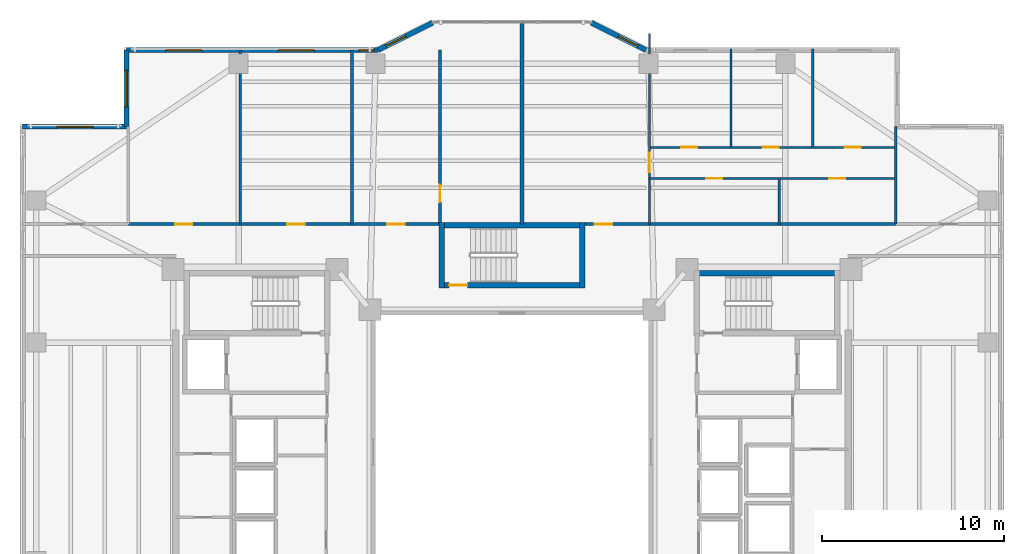
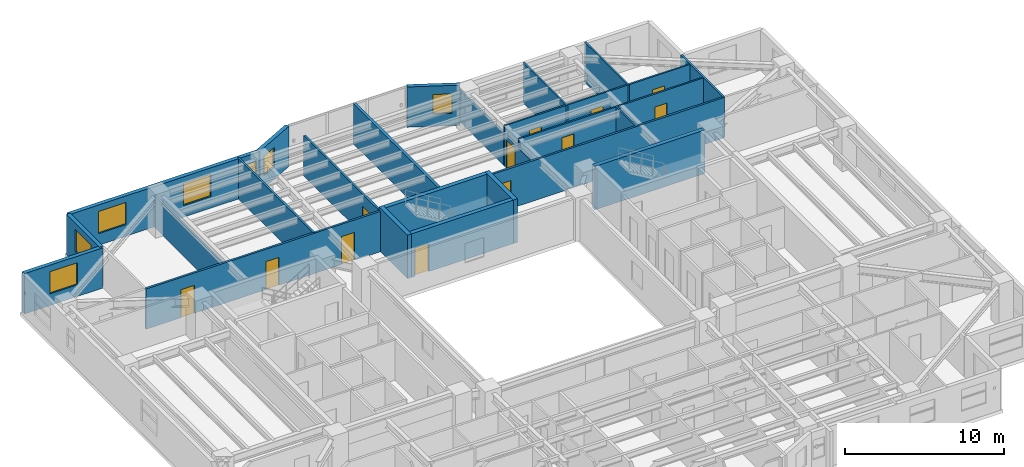
# One storey, part 10 of 18: 24 walls, 12 doors, 7 windows, 19 openings.
"""IFC4 building model written with IfcOpenShell, lengths in metres."""

from ifc_helpers import new_model, si_unit, direction, frame, frame_2d, origin, place, context, subcontext, project, spatial, rectangle, extrude, material, layer, layer_set, type_object, element, fill, save


model = new_model("IFC4")

# Units and contexts
model_context = context("Model", 3, precision=1e-05, world=origin(), true_north=direction((0.0, 1.0)))
body_context = subcontext(model_context, "Body", "Model", "MODEL_VIEW")
ifc_project = project(units=[si_unit("LENGTHUNIT", "METRE"), si_unit("AREAUNIT", "SQUARE_METRE"), si_unit("VOLUMEUNIT", "CUBIC_METRE"), si_unit("PLANEANGLEUNIT", "RADIAN"), si_unit("MASSUNIT", "GRAM", prefix="KILO")], contexts=[model_context])

# Site, building, storey
site_placement = place(None, origin())
site = spatial("IfcSite", under=ifc_project, at=site_placement, CompositionType="ELEMENT")
building_placement = place(site_placement, origin())
building = spatial("IfcBuilding", under=site, at=building_placement, Name="Tarnavaz Court Tower", CompositionType="ELEMENT")
storey_placement = place(building_placement, frame((0.0, 0.0, 88.35009765625)))
storey = spatial("IfcBuildingStorey", under=building, at=storey_placement, Name="L23", CompositionType="ELEMENT", Elevation=88.35009765625)

# Walls
ifc_material_1 = material(Name="Concrete C60/75", Category="concrete")
ifc_layer_1 = layer(ifc_material_1, 0.300048828125)
ifc_layer_set_1 = layer_set([ifc_layer_1], Name="Concrete C60/75")
wall_type_1 = type_object("IfcWallType", Name="WL-CORE-300-C60", PredefinedType="SHEAR", material=ifc_layer_set_1)
for number, where, z_axis, x_axis, name in (
    (1, (10.0, 9.7900390625, 0.0), (0.0, 0.0, 1.0), (1.0, 0.0, 0.0), "L23 East Stair Core Wall 005"),
    (2, (-4.0, 12.43994140625, 0.0), (0.0, 0.0, 1.0), (1.0, 0.0, 0.0), "L23 North Stair Core Wall 009"),
):
    element("IfcWall", number, at=place(storey_placement, frame(where, z_axis=z_axis, x_axis=x_axis)), inside=storey, type_object=wall_type_1, Name=name, PredefinedType="SHEAR", context=body_context, shape_type="SweptSolid", body=[
        extrude(rectangle(XDim=8.0, YDim=0.300048828125, at=frame_2d((4.0, 0.0))), origin(), (0.0, 0.0, 1.0), 3.349853515625),
    ])

# Wall, opening, door
wall_1_placement = place(storey_placement, frame((-4.0, 9.14990234375, 0.0), z_axis=(0.0, 0.0, 1.0), x_axis=(1.0, 0.0, 0.0)))
wall_1 = element("IfcWall", 3, at=wall_1_placement, inside=storey, type_object=wall_type_1, Name="L23 North Stair Core Wall 010", PredefinedType="SHEAR", context=body_context, shape_type="SweptSolid", body=[
    extrude(rectangle(XDim=8.0, YDim=0.300048828125, at=frame_2d((4.0, 0.0))), origin(), (0.0, 0.0, 1.0), 3.349853515625),
])
opening_1_placement = place(wall_1_placement, frame((0.550048828125, 0.0, 0.0)))
opening_1 = element("IfcOpeningElement", 4, at=opening_1_placement, cuts=wall_1, Name="Opening D01", PredefinedType="OPENING", context=body_context, shape_type="SweptSolid", body=[
    extrude(rectangle(XDim=1.0, YDim=2.14990234375, at=frame_2d((0.5, 1.074951171875))), frame((0.0, 0.159912109375, 0.0), z_axis=(0.0, -1.0, 0.0), x_axis=(1.0, 0.0, 0.0)), (0.0, 0.0, 1.0), 0.320068359375),
])
ifc_material_2 = material(Name="Fire-Rated Hardwood Timber Core", Category="wood")
door_type_1 = type_object("IfcDoorType", Name="DR-FD90-1000", OperationType="NOTDEFINED", PredefinedType="DOOR", material=ifc_material_2)
door_1_placement = place(opening_1_placement, origin())
door_1 = element("IfcDoor", 5, at=door_1_placement, inside=storey, type_object=door_type_1, Name="L23 Stair ST-N1 Exit Door", OperationType="SINGLE_SWING_LEFT", OverallHeight=2.14990234375, OverallWidth=1.0, PredefinedType="DOOR", context=body_context, shape_type="SweptSolid", body=[
    extrude(rectangle(XDim=1.0, YDim=2.14990234375, at=frame_2d((0.5, 1.074951171875))), frame((0.0, 0.02490234375, 0.0), z_axis=(0.0, -1.0, 0.0), x_axis=(1.0, 0.0, 0.0)), (0.0, 0.0, 1.0), 0.050048828125),
])
fill(opening_1, door_1)

# Walls
for number, where, z_axis, x_axis, name in (
    (6, (-3.85009765625, 9.0, 0.0), (0.0, 0.0, 1.0), (0.0, 1.0, 0.0), "L23 North Stair Core Wall 011"),
    (7, (3.85009765625, 9.0, 0.0), (0.0, 0.0, 1.0), (0.0, 1.0, 0.0), "L23 North Stair Core Wall 012"),
):
    element("IfcWall", number, at=place(storey_placement, frame(where, z_axis=z_axis, x_axis=x_axis)), inside=storey, type_object=wall_type_1, Name=name, PredefinedType="SHEAR", context=body_context, shape_type="SweptSolid", body=[
        extrude(rectangle(XDim=3.590087890625, YDim=0.300048828125, at=frame_2d((1.794921875, 0.0))), origin(), (0.0, 0.0, 1.0), 3.349853515625),
    ])

# Wall, opening, window
ifc_material_3 = material(Name="Precast Concrete C40/50", Category="concrete")
ifc_layer_2 = layer(ifc_material_3, 0.280029296875)
ifc_layer_set_2 = layer_set([ifc_layer_2], Name="Precast Concrete C40/50")
wall_type_2 = type_object("IfcWallType", Name="WL-EXT-280", PredefinedType="SOLIDWALL", material=ifc_layer_set_2)
wall_2_placement = place(storey_placement, frame((-26.85009765625, 17.85009765625, 0.0), z_axis=(0.0, 0.0, 1.0), x_axis=(1.0, 0.0, 0.0)))
wall_2 = element("IfcWall", 8, at=wall_2_placement, inside=storey, type_object=wall_type_2, Name="L23 Exterior Terracotta Facade Wall 03", PredefinedType="SOLIDWALL", context=body_context, shape_type="SweptSolid", body=[
    extrude(rectangle(XDim=5.7001953125, YDim=0.280029296875, at=frame_2d((2.85009765625, 0.0))), origin(), (0.0, 0.0, 1.0), 3.099853515625),
])
opening_2_placement = place(wall_2_placement, frame((1.875, 0.0, 0.89990234375)))
opening_2 = element("IfcOpeningElement", 9, at=opening_2_placement, cuts=wall_2, Name="Opening W08", PredefinedType="OPENING", context=body_context, shape_type="SweptSolid", body=[
    extrude(rectangle(XDim=2.0, YDim=1.699951171875, at=frame_2d((1.0, 0.85009765625))), frame((0.0, 0.14990234375, 0.0), z_axis=(0.0, -1.0, 0.0), x_axis=(1.0, 0.0, 0.0)), (0.0, 0.0, 1.0), 0.300048828125),
])
ifc_material_4 = material(Name="Double-Glazed Solar Low-E Glass", Category="glass")
window_type_1 = type_object("IfcWindowType", Name="WN-APT-2000", PartitioningType="DOUBLE_PANEL_VERTICAL", PredefinedType="WINDOW", material=ifc_material_4)
window_1_placement = place(opening_2_placement, origin())
window_1 = element("IfcWindow", 10, at=window_1_placement, inside=storey, type_object=window_type_1, Name="L23 North-West Corner Sunroom Study Window", OverallHeight=1.699951171875, OverallWidth=2.0, PartitioningType="SINGLE_PANEL", PredefinedType="WINDOW", context=body_context, shape_type="SweptSolid", body=[
    extrude(rectangle(XDim=2.0, YDim=1.699951171875, at=frame_2d((1.0, 0.85009765625))), frame((0.0, 0.030029296875, 0.0), z_axis=(0.0, -1.0, 0.0), x_axis=(1.0, 0.0, 0.0)), (0.0, 0.0, 1.0), 0.06005859375),
])
fill(opening_2, window_1)

wall_3_placement = place(storey_placement, frame((-21.14990234375, 17.85009765625, 0.0), z_axis=(0.0, 0.0, 1.0), x_axis=(0.0, 1.0, 0.0)))
wall_3 = element("IfcWall", 11, at=wall_3_placement, inside=storey, type_object=wall_type_2, Name="L23 Exterior Terracotta Facade Wall 04", PredefinedType="SOLIDWALL", context=body_context, shape_type="SweptSolid", body=[
    extrude(rectangle(XDim=4.199951171875, YDim=0.280029296875, at=frame_2d((2.10009765625, 0.0))), origin(), (0.0, 0.0, 1.0), 3.099853515625),
])
opening_3_placement = place(wall_3_placement, frame((1.082275390625, 0.0, 0.89990234375)))
opening_3 = element("IfcOpeningElement", 12, at=opening_3_placement, cuts=wall_3, Name="Opening W08", PredefinedType="OPENING", context=body_context, shape_type="SweptSolid", body=[
    extrude(rectangle(XDim=2.0, YDim=1.699951171875, at=frame_2d((1.0, 0.85009765625))), frame((0.0, 0.14990234375, 0.0), z_axis=(0.0, -1.0, 0.0), x_axis=(1.0, 0.0, 0.0)), (0.0, 0.0, 1.0), 0.300048828125),
])
window_2_placement = place(opening_3_placement, origin())
window_2 = element("IfcWindow", 13, at=window_2_placement, inside=storey, type_object=window_type_1, Name="L23 Resident Fitness and Yoga Studio Window", OverallHeight=1.699951171875, OverallWidth=2.0, PartitioningType="SINGLE_PANEL", PredefinedType="WINDOW", context=body_context, shape_type="SweptSolid", body=[
    extrude(rectangle(XDim=2.0, YDim=1.699951171875, at=frame_2d((1.0, 0.85009765625))), frame((0.0, 0.030029296875, 0.0), z_axis=(0.0, -1.0, 0.0), x_axis=(1.0, 0.0, 0.0)), (0.0, 0.0, 1.0), 0.06005859375),
])
fill(opening_3, window_2)

# Wall, openings, windows
wall_4_placement = place(storey_placement, frame((-21.14990234375, 22.050048828125, 0.0), z_axis=(0.0, 0.0, 1.0), x_axis=(1.0, 0.0, 0.0)))
wall_4 = element("IfcWall", 14, at=wall_4_placement, inside=storey, type_object=wall_type_2, Name="L23 Exterior Terracotta Facade Wall 05", PredefinedType="SOLIDWALL", context=body_context, shape_type="SweptSolid", body=[
    extrude(rectangle(XDim=13.7998046875, YDim=0.280029296875, at=frame_2d((6.89990234375, 0.0))), origin(), (0.0, 0.0, 1.0), 3.099853515625),
])
opening_4_placement = place(wall_4_placement, frame((2.136474609375, 0.0, 0.89990234375)))
opening_4 = element("IfcOpeningElement", 15, at=opening_4_placement, cuts=wall_4, Name="Opening W08", PredefinedType="OPENING", context=body_context, shape_type="SweptSolid", body=[
    extrude(rectangle(XDim=2.0, YDim=1.699951171875, at=frame_2d((1.0, 0.85009765625))), frame((0.0, 0.14990234375, 0.0), z_axis=(0.0, -1.0, 0.0), x_axis=(1.0, 0.0, 0.0)), (0.0, 0.0, 1.0), 0.300048828125),
])
opening_5_placement = place(wall_4_placement, frame((8.30859375, 0.0, 0.89990234375)))
opening_5 = element("IfcOpeningElement", 16, at=opening_5_placement, cuts=wall_4, Name="Opening W08", PredefinedType="OPENING", context=body_context, shape_type="SweptSolid", body=[
    extrude(rectangle(XDim=2.0, YDim=1.699951171875, at=frame_2d((1.0, 0.85009765625))), frame((0.0, 0.14990234375, 0.0), z_axis=(0.0, -1.0, 0.0), x_axis=(1.0, 0.0, 0.0)), (0.0, 0.0, 1.0), 0.300048828125),
])
opening_6_placement = place(wall_4_placement, frame((12.7470703125, 0.0, 0.949951171875)))
opening_6 = element("IfcOpeningElement", 17, at=opening_6_placement, cuts=wall_4, Name="Opening W15", PredefinedType="OPENING", context=body_context, shape_type="SweptSolid", body=[
    extrude(rectangle(XDim=0.85009765625, YDim=1.5, at=frame_2d((0.425048828125, 0.75))), frame((0.0, 0.14990234375, 0.0), z_axis=(0.0, -1.0, 0.0), x_axis=(1.0, 0.0, 0.0)), (0.0, 0.0, 1.0), 0.300048828125),
])
window_3_placement = place(opening_4_placement, origin())
window_3 = element("IfcWindow", 18, at=window_3_placement, inside=storey, type_object=window_type_1, Name="L23 Resident Fitness and Yoga Studio Window", OverallHeight=1.699951171875, OverallWidth=2.0, PartitioningType="SINGLE_PANEL", PredefinedType="WINDOW", context=body_context, shape_type="SweptSolid", body=[
    extrude(rectangle(XDim=2.0, YDim=1.699951171875, at=frame_2d((1.0, 0.85009765625))), frame((0.0, 0.030029296875, 0.0), z_axis=(0.0, -1.0, 0.0), x_axis=(1.0, 0.0, 0.0)), (0.0, 0.0, 1.0), 0.06005859375),
])
fill(opening_4, window_3)
window_4_placement = place(opening_5_placement, origin())
window_4 = element("IfcWindow", 19, at=window_4_placement, inside=storey, type_object=window_type_1, Name="L23 Children Playroom and Daycare Window", OverallHeight=1.699951171875, OverallWidth=2.0, PartitioningType="SINGLE_PANEL", PredefinedType="WINDOW", context=body_context, shape_type="SweptSolid", body=[
    extrude(rectangle(XDim=2.0, YDim=1.699951171875, at=frame_2d((1.0, 0.85009765625))), frame((0.0, 0.030029296875, 0.0), z_axis=(0.0, -1.0, 0.0), x_axis=(1.0, 0.0, 0.0)), (0.0, 0.0, 1.0), 0.06005859375),
])
fill(opening_5, window_4)
window_type_2 = type_object("IfcWindowType", Name="WN-APT-850", PartitioningType="SINGLE_PANEL", PredefinedType="WINDOW", material=ifc_material_4)
window_5_placement = place(opening_6_placement, origin())
window_5 = element("IfcWindow", 20, at=window_5_placement, inside=storey, type_object=window_type_2, Name="L23 Shared Community Tea Pantry Window", OverallHeight=1.5, OverallWidth=0.85009765625, PartitioningType="SINGLE_PANEL", PredefinedType="WINDOW", context=body_context, shape_type="SweptSolid", body=[
    extrude(rectangle(XDim=0.85009765625, YDim=1.5, at=frame_2d((0.425048828125, 0.75))), frame((0.0, 0.030029296875, 0.0), z_axis=(0.0, -1.0, 0.0), x_axis=(1.0, 0.0, 0.0)), (0.0, 0.0, 1.0), 0.06005859375),
])
fill(opening_6, window_5)

# Wall, opening, window
wall_5_placement = place(storey_placement, frame((-7.35009765625, 22.050048828125, 0.0), z_axis=(0.0, 0.0, 1.0), x_axis=(0.894427191, 0.4472135955, 0.0)))
wall_5 = element("IfcWall", 21, at=wall_5_placement, inside=storey, type_object=wall_type_2, Name="L23 Exterior Terracotta Facade Wall 06", PredefinedType="SOLIDWALL", context=body_context, shape_type="SweptSolid", body=[
    extrude(rectangle(XDim=3.35400390625, YDim=0.280029296875, at=frame_2d((1.677001953125, 0.0))), origin(), (0.0, 0.0, 1.0), 3.099853515625),
])
opening_7_placement = place(wall_5_placement, frame((0.501220703125, 0.0, 0.949951171875)))
opening_7 = element("IfcOpeningElement", 22, at=opening_7_placement, cuts=wall_5, Name="Opening W05", PredefinedType="OPENING", context=body_context, shape_type="SweptSolid", body=[
    extrude(rectangle(XDim=1.199951171875, YDim=1.5, at=frame_2d((0.60009765625, 0.75))), frame((0.0, 0.14990234375, 0.0), z_axis=(0.0, -1.0, 0.0), x_axis=(1.0, 0.0, 0.0)), (0.0, 0.0, 1.0), 0.300048828125),
])
window_type_3 = type_object("IfcWindowType", Name="WN-APT-1200", PartitioningType="SINGLE_PANEL", PredefinedType="WINDOW", material=ifc_material_4)
window_6_placement = place(opening_7_placement, origin())
window_6 = element("IfcWindow", 23, at=window_6_placement, inside=storey, type_object=window_type_3, Name="L23 Shared Community Tea Pantry Window", OverallHeight=1.5, OverallWidth=1.199951171875, PartitioningType="SINGLE_PANEL", PredefinedType="WINDOW", context=body_context, shape_type="SweptSolid", body=[
    extrude(rectangle(XDim=1.199951171875, YDim=1.5, at=frame_2d((0.60009765625, 0.75))), frame((0.0, 0.030029296875, 0.0), z_axis=(0.0, -1.0, 0.0), x_axis=(1.0, 0.0, 0.0)), (0.0, 0.0, 1.0), 0.06005859375),
])
fill(opening_7, window_6)

wall_6_placement = place(storey_placement, frame((4.35009765625, 23.550048828125, 0.0), z_axis=(0.0, 0.0, 1.0), x_axis=(0.894427191, -0.4472135955, 0.0)))
wall_6 = element("IfcWall", 24, at=wall_6_placement, inside=storey, type_object=wall_type_2, Name="L23 Exterior Terracotta Facade Wall 08", PredefinedType="SOLIDWALL", context=body_context, shape_type="SweptSolid", body=[
    extrude(rectangle(XDim=3.35400390625, YDim=0.280029296875, at=frame_2d((1.677001953125, 0.0))), origin(), (0.0, 0.0, 1.0), 3.099853515625),
])
opening_8_placement = place(wall_6_placement, frame((1.65283203125, 0.0, 0.949951171875)))
opening_8 = element("IfcOpeningElement", 25, at=opening_8_placement, cuts=wall_6, Name="Opening W05", PredefinedType="OPENING", context=body_context, shape_type="SweptSolid", body=[
    extrude(rectangle(XDim=1.199951171875, YDim=1.5, at=frame_2d((0.60009765625, 0.75))), frame((0.0, 0.14990234375, 0.0), z_axis=(0.0, -1.0, 0.0), x_axis=(1.0, 0.0, 0.0)), (0.0, 0.0, 1.0), 0.300048828125),
])
window_7_placement = place(opening_8_placement, origin())
window_7 = element("IfcWindow", 26, at=window_7_placement, inside=storey, type_object=window_type_3, Name="L23 Flat 01 Living and Dining Room Window", OverallHeight=1.5, OverallWidth=1.199951171875, PartitioningType="SINGLE_PANEL", PredefinedType="WINDOW", context=body_context, shape_type="SweptSolid", body=[
    extrude(rectangle(XDim=1.199951171875, YDim=1.5, at=frame_2d((0.60009765625, 0.75))), frame((0.0, 0.030029296875, 0.0), z_axis=(0.0, -1.0, 0.0), x_axis=(1.0, 0.0, 0.0)), (0.0, 0.0, 1.0), 0.06005859375),
])
fill(opening_8, window_7)

# Wall, openings, doors
ifc_material_5 = material(Name="Gypsum Fire-Board on Acoustic Metal Stud", Category="masonry")
ifc_layer_3 = layer(ifc_material_5, 0.14990234375)
ifc_layer_set_3 = layer_set([ifc_layer_3], Name="Gypsum Fire-Board on Acoustic Metal Stud")
wall_type_3 = type_object("IfcWallType", Name="WL-FIRE-150", PredefinedType="PARTITIONING", material=ifc_layer_set_3)
wall_7_placement = place(storey_placement, frame((-21.050048828125, 12.5, 0.0), z_axis=(0.0, 0.0, 1.0), x_axis=(1.0, 0.0, 0.0)))
wall_7 = element("IfcWall", 27, at=wall_7_placement, inside=storey, type_object=wall_type_3, Name="L23 NW Wing Corridor Wall 072", PredefinedType="PARTITIONING", context=body_context, shape_type="SweptSolid", body=[
    extrude(rectangle(XDim=17.199951171875, YDim=0.14990234375, at=frame_2d((8.60009765625, 0.0))), origin(), (0.0, 0.0, 1.0), 3.099853515625),
])
opening_9_placement = place(wall_7_placement, frame((2.56201171875, 0.0, 0.0)))
opening_9 = element("IfcOpeningElement", 28, at=opening_9_placement, cuts=wall_7, Name="Opening D13", PredefinedType="OPENING", context=body_context, shape_type="SweptSolid", body=[
    extrude(rectangle(XDim=0.949951171875, YDim=2.14990234375, at=frame_2d((0.47509765625, 1.074951171875))), frame((0.0, 0.0849609375, 0.0), z_axis=(0.0, -1.0, 0.0), x_axis=(1.0, 0.0, 0.0)), (0.0, 0.0, 1.0), 0.169921875),
])
opening_10_placement = place(wall_7_placement, frame((8.72607421875, 0.0, 0.0)))
opening_10 = element("IfcOpeningElement", 29, at=opening_10_placement, cuts=wall_7, Name="Opening D13", PredefinedType="OPENING", context=body_context, shape_type="SweptSolid", body=[
    extrude(rectangle(XDim=0.949951171875, YDim=2.14990234375, at=frame_2d((0.47509765625, 1.074951171875))), frame((0.0, 0.0849609375, 0.0), z_axis=(0.0, -1.0, 0.0), x_axis=(1.0, 0.0, 0.0)), (0.0, 0.0, 1.0), 0.169921875),
])
opening_11_placement = place(wall_7_placement, frame((14.2099609375, 0.0, 0.0)))
opening_11 = element("IfcOpeningElement", 30, at=opening_11_placement, cuts=wall_7, Name="Opening D13", PredefinedType="OPENING", context=body_context, shape_type="SweptSolid", body=[
    extrude(rectangle(XDim=0.949951171875, YDim=2.14990234375, at=frame_2d((0.47509765625, 1.074951171875))), frame((0.0, 0.0849609375, 0.0), z_axis=(0.0, -1.0, 0.0), x_axis=(1.0, 0.0, 0.0)), (0.0, 0.0, 1.0), 0.169921875),
])
ifc_material_6 = material(Name="Engineered Oak Timber", Category="wood")
door_type_2 = type_object("IfcDoorType", Name="DR-INT-950", OperationType="NOTDEFINED", PredefinedType="DOOR", material=ifc_material_6)
door_2_placement = place(opening_9_placement, origin())
door_2 = element("IfcDoor", 31, at=door_2_placement, inside=storey, type_object=door_type_2, Name="L23 Resident Fitness and Yoga Studio Door", OperationType="SINGLE_SWING_RIGHT", OverallHeight=2.14990234375, OverallWidth=0.949951171875, PredefinedType="DOOR", context=body_context, shape_type="SweptSolid", body=[
    extrude(rectangle(XDim=0.949951171875, YDim=2.14990234375, at=frame_2d((0.47509765625, 1.074951171875))), frame((0.0, 0.02490234375, 0.0), z_axis=(0.0, -1.0, 0.0), x_axis=(1.0, 0.0, 0.0)), (0.0, 0.0, 1.0), 0.050048828125),
])
fill(opening_9, door_2)
door_3_placement = place(opening_10_placement, origin())
door_3 = element("IfcDoor", 32, at=door_3_placement, inside=storey, type_object=door_type_2, Name="L23 Children Playroom and Daycare Door", OperationType="SINGLE_SWING_LEFT", OverallHeight=2.14990234375, OverallWidth=0.949951171875, PredefinedType="DOOR", context=body_context, shape_type="SweptSolid", body=[
    extrude(rectangle(XDim=0.949951171875, YDim=2.14990234375, at=frame_2d((0.47509765625, 1.074951171875))), frame((0.0, 0.02490234375, 0.0), z_axis=(0.0, -1.0, 0.0), x_axis=(1.0, 0.0, 0.0)), (0.0, 0.0, 1.0), 0.050048828125),
])
fill(opening_10, door_3)
door_4_placement = place(opening_11_placement, origin())
door_4 = element("IfcDoor", 33, at=door_4_placement, inside=storey, type_object=door_type_2, Name="L23 Shared Community Tea Pantry Door", OperationType="SINGLE_SWING_RIGHT", OverallHeight=2.14990234375, OverallWidth=0.949951171875, PredefinedType="DOOR", context=body_context, shape_type="SweptSolid", body=[
    extrude(rectangle(XDim=0.949951171875, YDim=2.14990234375, at=frame_2d((0.47509765625, 1.074951171875))), frame((0.0, 0.02490234375, 0.0), z_axis=(0.0, -1.0, 0.0), x_axis=(1.0, 0.0, 0.0)), (0.0, 0.0, 1.0), 0.050048828125),
])
fill(opening_11, door_4)

# Wall, opening, door
wall_8_placement = place(storey_placement, frame((3.85009765625, 12.5, 0.0), z_axis=(0.0, 0.0, 1.0), x_axis=(1.0, 0.0, 0.0)))
wall_8 = element("IfcWall", 34, at=wall_8_placement, inside=storey, type_object=wall_type_3, Name="L23 NE Wing Corridor Wall 073", PredefinedType="PARTITIONING", context=body_context, shape_type="SweptSolid", body=[
    extrude(rectangle(XDim=17.199951171875, YDim=0.14990234375, at=frame_2d((8.60009765625, 0.0))), origin(), (0.0, 0.0, 1.0), 3.099853515625),
])
opening_12_placement = place(wall_8_placement, frame((0.699951171875, 0.0, 0.0)))
opening_12 = element("IfcOpeningElement", 35, at=opening_12_placement, cuts=wall_8, Name="Opening D06", PredefinedType="OPENING", context=body_context, shape_type="SweptSolid", body=[
    extrude(rectangle(XDim=0.9599609375, YDim=2.14990234375, at=frame_2d((0.47998046875, 1.074951171875))), frame((0.0, 0.0849609375, 0.0), z_axis=(0.0, -1.0, 0.0), x_axis=(1.0, 0.0, 0.0)), (0.0, 0.0, 1.0), 0.169921875),
])
door_type_3 = type_object("IfcDoorType", Name="DR-FD60-950", OperationType="NOTDEFINED", PredefinedType="DOOR", material=ifc_material_2)
door_5_placement = place(opening_12_placement, origin())
door_5 = element("IfcDoor", 36, at=door_5_placement, inside=storey, type_object=door_type_3, Name="L23 Flat 01 Entrance Door", OperationType="SINGLE_SWING_RIGHT", OverallHeight=2.14990234375, OverallWidth=0.9599609375, PredefinedType="DOOR", context=body_context, shape_type="SweptSolid", body=[
    extrude(rectangle(XDim=0.9599609375, YDim=2.14990234375, at=frame_2d((0.47998046875, 1.074951171875))), frame((0.0, 0.02490234375, 0.0), z_axis=(0.0, -1.0, 0.0), x_axis=(1.0, 0.0, 0.0)), (0.0, 0.0, 1.0), 0.050048828125),
])
fill(opening_12, door_5)

# Wall
ifc_material_7 = material(Name="Autoclaved Aerated Concrete Blockwork", Category="masonry")
ifc_layer_4 = layer(ifc_material_7, 0.199951171875)
ifc_layer_set_4 = layer_set([ifc_layer_4], Name="Autoclaved Aerated Concrete Blockwork")
wall_type_4 = type_object("IfcWallType", Name="WL-FIRE-200", PredefinedType="SOLIDWALL", material=ifc_layer_set_4)
wall_9_placement = place(storey_placement, frame((0.550048828125, 12.5, 0.0), z_axis=(0.0, 0.0, 1.0), x_axis=(0.0, 1.0, 0.0)))
element("IfcWall", 37, at=wall_9_placement, inside=storey, type_object=wall_type_4, Name="L23 North Center Party Wall 076", PredefinedType="SOLIDWALL", context=body_context, shape_type="SweptSolid", body=[
    extrude(rectangle(XDim=11.080078125, YDim=0.199951171875, at=frame_2d((5.5400390625, 0.0))), origin(), (0.0, 0.0, 1.0), 3.099853515625),
])

# Wall, opening, door
ifc_material_8 = material(Name="Moisture-Resistant Gypsum Board Partition", Category="masonry")
ifc_layer_5 = layer(ifc_material_8, 0.1201171875)
ifc_layer_set_5 = layer_set([ifc_layer_5], Name="Moisture-Resistant Gypsum Board Partition")
wall_type_5 = type_object("IfcWallType", Name="WL-PART-120", PredefinedType="PARTITIONING", material=ifc_layer_set_5)
wall_10_placement = place(storey_placement, frame((7.5390625, 12.43994140625, 0.0), z_axis=(0.0, 0.0, 1.0), x_axis=(0.0, 1.0, 0.0)))
wall_10 = element("IfcWall", 38, at=wall_10_placement, inside=storey, type_object=wall_type_5, Name="L23 Interior Partition 080", PredefinedType="PARTITIONING", context=body_context, shape_type="SweptSolid", body=[
    extrude(rectangle(XDim=10.51416015625, YDim=0.1201171875, at=frame_2d((5.257080078125, 0.0))), origin(), (0.0, 0.0, 1.0), 2.434814453125),
])
opening_13_placement = place(wall_10_placement, frame((2.905029296875, 0.0, 0.0)))
opening_13 = element("IfcOpeningElement", 39, at=opening_13_placement, cuts=wall_10, Name="Opening D12", PredefinedType="OPENING", context=body_context, shape_type="SweptSolid", body=[
    extrude(rectangle(XDim=1.080078125, YDim=2.14990234375, at=frame_2d((0.5400390625, 1.074951171875))), frame((0.0, 0.070068359375, 0.0), z_axis=(0.0, -1.0, 0.0), x_axis=(1.0, 0.0, 0.0)), (0.0, 0.0, 1.0), 0.14013671875),
])
door_type_4 = type_object("IfcDoorType", Name="DR-INT-1100", OperationType="NOTDEFINED", PredefinedType="DOOR", material=ifc_material_6)
door_6_placement = place(opening_13_placement, origin())
door_6 = element("IfcDoor", 40, at=door_6_placement, inside=storey, type_object=door_type_4, Name="L23 Flat 01 Foyer Door", OperationType="SINGLE_SWING_LEFT", OverallHeight=2.14990234375, OverallWidth=1.080078125, PredefinedType="DOOR", context=body_context, shape_type="SweptSolid", body=[
    extrude(rectangle(XDim=1.080078125, YDim=2.14990234375, at=frame_2d((0.5400390625, 1.074951171875))), frame((0.0, 0.02490234375, 0.0), z_axis=(0.0, -1.0, 0.0), x_axis=(1.0, 0.0, 0.0)), (0.0, 0.0, 1.0), 0.050048828125),
])
fill(opening_13, door_6)

wall_11_placement = place(storey_placement, frame((7.5390625, 15.0, 0.0), z_axis=(0.0, 0.0, 1.0), x_axis=(1.0, 0.0, 0.0)))
wall_11 = element("IfcWall", 41, at=wall_11_placement, inside=storey, type_object=wall_type_5, Name="L23 Interior Partition 081", PredefinedType="PARTITIONING", context=body_context, shape_type="SweptSolid", body=[
    extrude(rectangle(XDim=7.12890625, YDim=0.1201171875, at=frame_2d((3.564453125, 0.0))), origin(), (0.0, 0.0, 1.0), 3.099853515625),
])
opening_14_placement = place(wall_11_placement, frame((3.1240234375, 0.0, 0.0)))
opening_14 = element("IfcOpeningElement", 42, at=opening_14_placement, cuts=wall_11, Name="Opening D14", PredefinedType="OPENING", context=body_context, shape_type="SweptSolid", body=[
    extrude(rectangle(XDim=0.8798828125, YDim=2.10009765625, at=frame_2d((0.43994140625, 1.050048828125))), frame((0.0, 0.070068359375, 0.0), z_axis=(0.0, -1.0, 0.0), x_axis=(1.0, 0.0, 0.0)), (0.0, 0.0, 1.0), 0.14013671875),
])
door_type_5 = type_object("IfcDoorType", Name="DR-INT-900", OperationType="NOTDEFINED", PredefinedType="DOOR", material=ifc_material_6)
door_7_placement = place(opening_14_placement, origin())
door_7 = element("IfcDoor", 43, at=door_7_placement, inside=storey, type_object=door_type_5, Name="L23 Flat 01 Kitchen Door", OperationType="SINGLE_SWING_RIGHT", OverallHeight=2.10009765625, OverallWidth=0.8798828125, PredefinedType="DOOR", context=body_context, shape_type="SweptSolid", body=[
    extrude(rectangle(XDim=0.8798828125, YDim=2.10009765625, at=frame_2d((0.43994140625, 1.050048828125))), frame((0.0, 0.02490234375, 0.0), z_axis=(0.0, -1.0, 0.0), x_axis=(1.0, 0.0, 0.0)), (0.0, 0.0, 1.0), 0.050048828125),
])
fill(opening_14, door_7)

wall_12_placement = place(storey_placement, frame((14.66796875, 15.0, 0.0), z_axis=(0.0, 0.0, 1.0), x_axis=(1.0, 0.0, 0.0)))
wall_12 = element("IfcWall", 44, at=wall_12_placement, inside=storey, type_object=wall_type_5, Name="L23 Interior Partition 082", PredefinedType="PARTITIONING", context=body_context, shape_type="SweptSolid", body=[
    extrude(rectangle(XDim=6.382080078125, YDim=0.1201171875, at=frame_2d((3.19091796875, 0.0))), origin(), (0.0, 0.0, 1.0), 3.099853515625),
])
opening_15_placement = place(wall_12_placement, frame((2.7509765625, 0.0, 0.0)))
opening_15 = element("IfcOpeningElement", 45, at=opening_15_placement, cuts=wall_12, Name="Opening D14", PredefinedType="OPENING", context=body_context, shape_type="SweptSolid", body=[
    extrude(rectangle(XDim=0.8798828125, YDim=2.10009765625, at=frame_2d((0.43994140625, 1.050048828125))), frame((0.0, 0.070068359375, 0.0), z_axis=(0.0, -1.0, 0.0), x_axis=(1.0, 0.0, 0.0)), (0.0, 0.0, 1.0), 0.14013671875),
])
door_8_placement = place(opening_15_placement, origin())
door_8 = element("IfcDoor", 46, at=door_8_placement, inside=storey, type_object=door_type_5, Name="L23 Flat 01 Bathroom Door", OperationType="SINGLE_SWING_LEFT", OverallHeight=2.10009765625, OverallWidth=0.8798828125, PredefinedType="DOOR", context=body_context, shape_type="SweptSolid", body=[
    extrude(rectangle(XDim=0.8798828125, YDim=2.10009765625, at=frame_2d((0.43994140625, 1.050048828125))), frame((0.0, 0.02490234375, 0.0), z_axis=(0.0, -1.0, 0.0), x_axis=(1.0, 0.0, 0.0)), (0.0, 0.0, 1.0), 0.050048828125),
])
fill(opening_15, door_8)

# Wall, openings, doors
wall_13_placement = place(storey_placement, frame((7.47900390625, 16.7099609375, 0.0), z_axis=(0.0, 0.0, 1.0), x_axis=(1.0, 0.0, 0.0)))
wall_13 = element("IfcWall", 47, at=wall_13_placement, inside=storey, type_object=wall_type_5, Name="L23 Interior Partition 083", PredefinedType="PARTITIONING", context=body_context, shape_type="SweptSolid", body=[
    extrude(rectangle(XDim=13.631103515625, YDim=0.1201171875, at=frame_2d((6.8154296875, 0.0))), origin(), (0.0, 0.0, 1.0), 3.099853515625),
])
opening_16_placement = place(wall_13_placement, frame((1.802001953125, 0.0, 0.0)))
opening_16 = element("IfcOpeningElement", 48, at=opening_16_placement, cuts=wall_13, Name="Opening D14", PredefinedType="OPENING", context=body_context, shape_type="SweptSolid", body=[
    extrude(rectangle(XDim=0.8798828125, YDim=2.10009765625, at=frame_2d((0.43994140625, 1.050048828125))), frame((0.0, 0.070068359375, 0.0), z_axis=(0.0, -1.0, 0.0), x_axis=(1.0, 0.0, 0.0)), (0.0, 0.0, 1.0), 0.14013671875),
])
opening_17_placement = place(wall_13_placement, frame((6.285888671875, 0.0, 0.0)))
opening_17 = element("IfcOpeningElement", 49, at=opening_17_placement, cuts=wall_13, Name="Opening D14", PredefinedType="OPENING", context=body_context, shape_type="SweptSolid", body=[
    extrude(rectangle(XDim=0.8798828125, YDim=2.10009765625, at=frame_2d((0.43994140625, 1.050048828125))), frame((0.0, 0.070068359375, 0.0), z_axis=(0.0, -1.0, 0.0), x_axis=(1.0, 0.0, 0.0)), (0.0, 0.0, 1.0), 0.14013671875),
])
opening_18_placement = place(wall_13_placement, frame((10.76904296875, 0.0, 0.0)))
opening_18 = element("IfcOpeningElement", 50, at=opening_18_placement, cuts=wall_13, Name="Opening D14", PredefinedType="OPENING", context=body_context, shape_type="SweptSolid", body=[
    extrude(rectangle(XDim=0.8798828125, YDim=2.10009765625, at=frame_2d((0.43994140625, 1.050048828125))), frame((0.0, 0.070068359375, 0.0), z_axis=(0.0, -1.0, 0.0), x_axis=(1.0, 0.0, 0.0)), (0.0, 0.0, 1.0), 0.14013671875),
])
door_9_placement = place(opening_16_placement, origin())
door_9 = element("IfcDoor", 51, at=door_9_placement, inside=storey, type_object=door_type_5, Name="L23 Flat 01 Bedroom 1 Door", OperationType="SINGLE_SWING_RIGHT", OverallHeight=2.10009765625, OverallWidth=0.8798828125, PredefinedType="DOOR", context=body_context, shape_type="SweptSolid", body=[
    extrude(rectangle(XDim=0.8798828125, YDim=2.10009765625, at=frame_2d((0.43994140625, 1.050048828125))), frame((0.0, 0.02490234375, 0.0), z_axis=(0.0, -1.0, 0.0), x_axis=(1.0, 0.0, 0.0)), (0.0, 0.0, 1.0), 0.050048828125),
])
fill(opening_16, door_9)
door_10_placement = place(opening_17_placement, origin())
door_10 = element("IfcDoor", 52, at=door_10_placement, inside=storey, type_object=door_type_5, Name="L23 Flat 01 Bedroom 2 Door", OperationType="SINGLE_SWING_LEFT", OverallHeight=2.10009765625, OverallWidth=0.8798828125, PredefinedType="DOOR", context=body_context, shape_type="SweptSolid", body=[
    extrude(rectangle(XDim=0.8798828125, YDim=2.10009765625, at=frame_2d((0.43994140625, 1.050048828125))), frame((0.0, 0.02490234375, 0.0), z_axis=(0.0, -1.0, 0.0), x_axis=(1.0, 0.0, 0.0)), (0.0, 0.0, 1.0), 0.050048828125),
])
fill(opening_17, door_10)
door_11_placement = place(opening_18_placement, origin())
door_11 = element("IfcDoor", 53, at=door_11_placement, inside=storey, type_object=door_type_5, Name="L23 Flat 01 Bedroom 3 Door", OperationType="SINGLE_SWING_RIGHT", OverallHeight=2.10009765625, OverallWidth=0.8798828125, PredefinedType="DOOR", context=body_context, shape_type="SweptSolid", body=[
    extrude(rectangle(XDim=0.8798828125, YDim=2.10009765625, at=frame_2d((0.43994140625, 1.050048828125))), frame((0.0, 0.02490234375, 0.0), z_axis=(0.0, -1.0, 0.0), x_axis=(1.0, 0.0, 0.0)), (0.0, 0.0, 1.0), 0.050048828125),
])
fill(opening_18, door_11)

# Walls
wall_14_placement = place(storey_placement, frame((14.66796875, 12.43994140625, 0.0), z_axis=(0.0, 0.0, 1.0), x_axis=(0.0, 1.0, 0.0)))
element("IfcWall", 54, at=wall_14_placement, inside=storey, type_object=wall_type_5, Name="L23 Interior Partition 084", PredefinedType="PARTITIONING", context=body_context, shape_type="SweptSolid", body=[
    extrude(rectangle(XDim=2.6201171875, YDim=0.1201171875, at=frame_2d((1.31005859375, 0.0))), origin(), (0.0, 0.0, 1.0), 3.099853515625),
])
for number, where, z_axis, x_axis, name in (
    (55, (12.02294921875, 16.64990234375, 0.0), (0.0, 0.0, 1.0), (0.0, 1.0, 0.0), "L23 Interior Partition 085"),
    (56, (16.506103515625, 16.64990234375, 0.0), (0.0, 0.0, 1.0), (0.0, 1.0, 0.0), "L23 Interior Partition 086"),
):
    element("IfcWall", number, at=place(storey_placement, frame(where, z_axis=z_axis, x_axis=x_axis)), inside=storey, type_object=wall_type_5, Name=name, PredefinedType="PARTITIONING", context=body_context, shape_type="SweptSolid", body=[
        extrude(rectangle(XDim=5.4501953125, YDim=0.1201171875, at=frame_2d((2.72509765625, 0.0))), origin(), (0.0, 0.0, 1.0), 3.099853515625),
    ])

# Wall, opening, door
ifc_material_9 = material(Name="Gypsum Plasterboard Acoustic Partition", Category="masonry")
ifc_layer_6 = layer(ifc_material_9, 0.139892578125)
ifc_layer_set_6 = layer_set([ifc_layer_6], Name="Gypsum Plasterboard Acoustic Partition")
wall_type_6 = type_object("IfcWallType", Name="WL-PART-150", PredefinedType="PARTITIONING", material=ifc_layer_set_6)
wall_15_placement = place(storey_placement, frame((-3.949951171875, 12.5, 0.0), z_axis=(0.0, 0.0, 1.0), x_axis=(0.0, 1.0, 0.0)))
wall_15 = element("IfcWall", 57, at=wall_15_placement, inside=storey, type_object=wall_type_6, Name="L23 Interior Partition 077", PredefinedType="PARTITIONING", context=body_context, shape_type="SweptSolid", body=[
    extrude(rectangle(XDim=9.550048828125, YDim=0.139892578125, at=frame_2d((4.77490234375, 0.0))), origin(), (0.0, 0.0, 1.0), 3.099853515625),
])
opening_19_placement = place(wall_15_placement, frame((1.199951171875, 0.0, 0.0)))
opening_19 = element("IfcOpeningElement", 58, at=opening_19_placement, cuts=wall_15, Name="Opening D13", PredefinedType="OPENING", context=body_context, shape_type="SweptSolid", body=[
    extrude(rectangle(XDim=0.949951171875, YDim=2.14990234375, at=frame_2d((0.47509765625, 1.074951171875))), frame((0.0, 0.079833984375, 0.0), z_axis=(0.0, -1.0, 0.0), x_axis=(1.0, 0.0, 0.0)), (0.0, 0.0, 1.0), 0.159912109375),
])
door_12_placement = place(opening_19_placement, origin())
door_12 = element("IfcDoor", 59, at=door_12_placement, inside=storey, type_object=door_type_2, Name="L23 NW Iwan Study Door", OperationType="SINGLE_SWING_LEFT", OverallHeight=2.14990234375, OverallWidth=0.949951171875, PredefinedType="DOOR", context=body_context, shape_type="SweptSolid", body=[
    extrude(rectangle(XDim=0.949951171875, YDim=2.14990234375, at=frame_2d((0.47509765625, 1.074951171875))), frame((0.0, 0.02490234375, 0.0), z_axis=(0.0, -1.0, 0.0), x_axis=(1.0, 0.0, 0.0)), (0.0, 0.0, 1.0), 0.050048828125),
])
fill(opening_19, door_12)

# Walls
wall_16_placement = place(storey_placement, frame((-14.916015625, 12.5, 0.0), z_axis=(0.0, 0.0, 1.0), x_axis=(0.0, 1.0, 0.0)))
element("IfcWall", 60, at=wall_16_placement, inside=storey, type_object=wall_type_6, Name="L23 Interior Partition 078", PredefinedType="PARTITIONING", context=body_context, shape_type="SweptSolid", body=[
    extrude(rectangle(XDim=9.550048828125, YDim=0.139892578125, at=frame_2d((4.77490234375, 0.0))), origin(), (0.0, 0.0, 1.0), 2.434814453125),
])
wall_17_placement = place(storey_placement, frame((-8.781005859375, 12.5, 0.0), z_axis=(0.0, 0.0, 1.0), x_axis=(0.0, 1.0, 0.0)))
element("IfcWall", 61, at=wall_17_placement, inside=storey, type_object=wall_type_6, Name="L23 Interior Partition 079", PredefinedType="PARTITIONING", context=body_context, shape_type="SweptSolid", body=[
    extrude(rectangle(XDim=9.550048828125, YDim=0.139892578125, at=frame_2d((4.77490234375, 0.0))), origin(), (0.0, 0.0, 1.0), 3.099853515625),
])
wall_18_placement = place(storey_placement, frame((21.050048828125, 12.5, 0.0), z_axis=(0.0, 0.0, 1.0), x_axis=(0.0, 1.0, 0.0)))
element("IfcWall", 62, at=wall_18_placement, inside=storey, type_object=wall_type_6, Name="L23 Interior Partition 119", PredefinedType="PARTITIONING", context=body_context, shape_type="SweptSolid", body=[
    extrude(rectangle(XDim=5.35009765625, YDim=0.139892578125, at=frame_2d((2.675048828125, 0.0))), origin(), (0.0, 0.0, 1.0), 3.099853515625),
])

save(model, "model.ifc")
